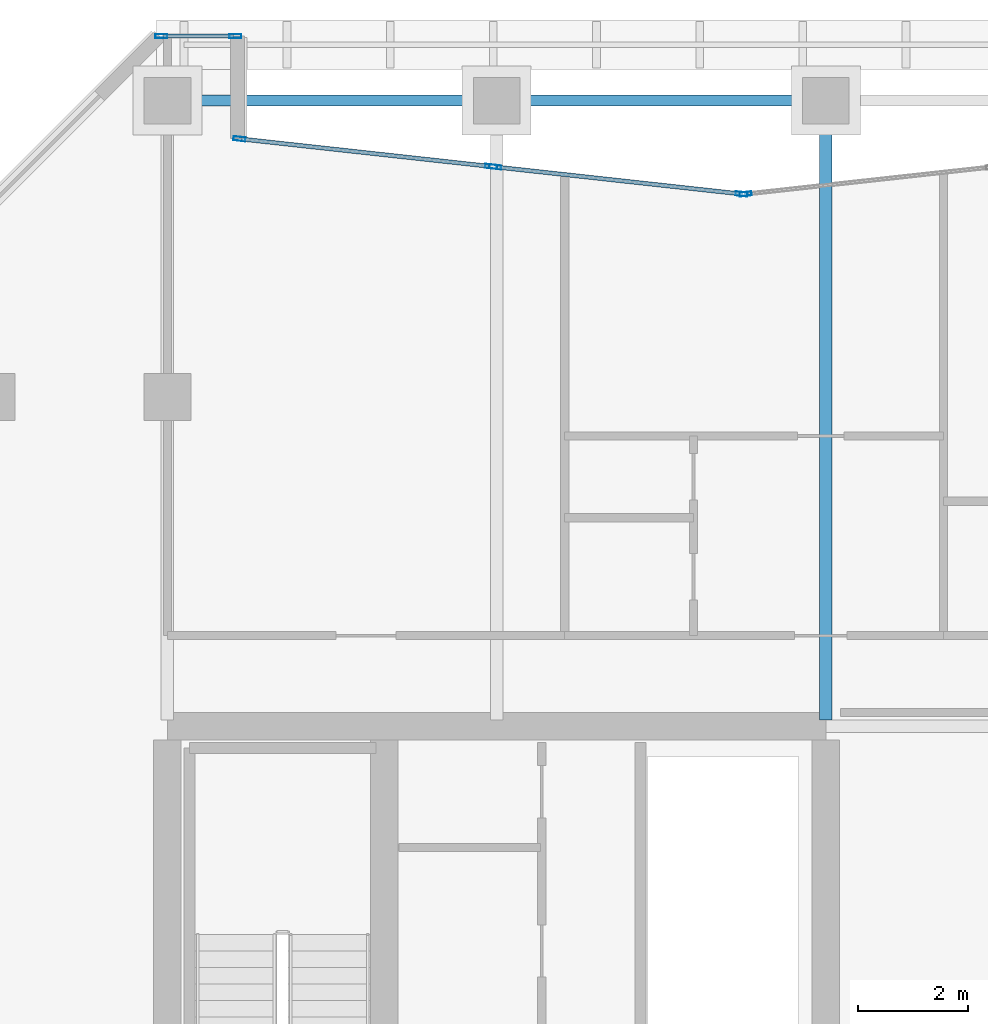
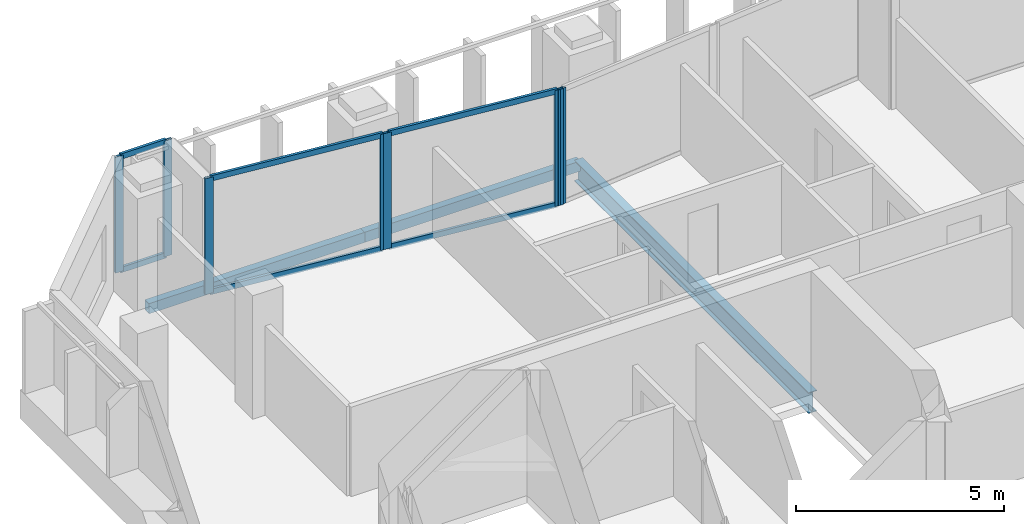
# One storey, part 9 of 29: 13 members, 3 beams, 4 elements without a shape of their own.
"""IFC4 building model written with IfcOpenShell, lengths in metres."""

from ifc_helpers import new_model, si_unit, direction, frame, origin, origin_2d, place, context, subcontext, project, spatial, hollow_rectangle, i_section, extrude, material, layer, layer_set, material_profile, profile_set, type_object, element, aggregate, save


model = new_model("IFC4")

# Units and contexts
model_context = context("Model", 3, precision=1e-05, world=origin(), true_north=direction((0.0, 1.0)))
body_context = subcontext(model_context, "Body", "Model", "MODEL_VIEW")
ifc_project = project(units=[si_unit("LENGTHUNIT", "METRE"), si_unit("AREAUNIT", "SQUARE_METRE"), si_unit("VOLUMEUNIT", "CUBIC_METRE"), si_unit("PLANEANGLEUNIT", "RADIAN"), si_unit("MASSUNIT", "GRAM", prefix="KILO")], contexts=[model_context])

# Site, building, storey
site_placement = place(None, origin())
site = spatial("IfcSite", under=ifc_project, at=site_placement, CompositionType="ELEMENT")
building_placement = place(site_placement, origin())
building = spatial("IfcBuilding", under=site, at=building_placement, Name="Tanjung Sevakor Pilgrim Tower", CompositionType="ELEMENT")
storey_placement = place(building_placement, frame((0.0, 0.0, 162.030029296875)))
storey = spatial("IfcBuildingStorey", under=building, at=storey_placement, Name="L45", CompositionType="ELEMENT", Elevation=162.030029296875)

# Beams
ifc_material_1 = material(Name="Steel S355J2", Category="steel")
ifc_material_profile_1 = material_profile(ifc_material_1, i_section(OverallWidth=0.22900390625, OverallDepth=0.6123046875, WebThickness=0.011962890625, FlangeThickness=0.01953125, FilletRadius=0.0126953125, at=origin_2d()))
ifc_profile_set_1 = profile_set([ifc_material_profile_1], Name="Steel S355J2")
beam_type_1 = type_object("IfcBeamType", Name="BM-B-G4-UB_610x229x125", PredefinedType="BEAM", material=ifc_profile_set_1)
beam_placement = place(storey_placement, frame((36.0, 42.715087890625, -0.526123046875), z_axis=(0.0, 1.0, 0.0), x_axis=(-1.0, 0.0, 0.0)))
element("IfcBeam", 1, at=beam_placement, inside=storey, type_object=beam_type_1, Name="L45 MAIN Girder 006", PredefinedType="BEAM", context=body_context, shape_type="SweptSolid", body=[
    extrude(i_section(OverallWidth=0.22900390625, OverallDepth=0.6123046875, WebThickness=0.011962890625, FlangeThickness=0.01953125, FilletRadius=0.0126953125, at=origin_2d()), origin(), (0.0, 0.0, 1.0), 11.284912109375),
])
ifc_material_2 = material(Name="Steel S355J2", Category="steel")
ifc_material_profile_2 = material_profile(ifc_material_2, hollow_rectangle(XDim=0.199951171875, YDim=0.300048828125, WallThickness=0.012451171875, at=origin_2d()))
ifc_profile_set_2 = profile_set([ifc_material_profile_2], Name="Steel S355J2")
beam_type_2 = type_object("IfcBeamType", Name="BM-B-SP3-RHS_300x200x12.5", PredefinedType="SPANDREL", material=ifc_profile_set_2)
for number, where, z_axis, x_axis, name in (
    (2, (24.0, 54.0, -0.3701171875), (1.0, 0.0, 0.0), (0.0, 1.0, 0.0), "L45 Spandrel MAIN N-02"),
    (3, (30.0, 54.0, -0.3701171875), (1.0, 0.0, 0.0), (0.0, 1.0, 0.0), "L45 Spandrel MAIN N-04"),
):
    element("IfcBeam", number, at=place(storey_placement, frame(where, z_axis=z_axis, x_axis=x_axis)), inside=storey, type_object=beam_type_2, Name=name, PredefinedType="SPANDREL", context=body_context, shape_type="SweptSolid", body=[
        extrude(hollow_rectangle(XDim=0.199951171875, YDim=0.300048828125, WallThickness=0.012451171875, at=origin_2d()), origin(), (0.0, 0.0, 1.0), 6.0),
    ])

# Curtain wall, member
ifc_material_3 = material(Name="Aluminium 6063-T6 and Low-E Glass", Category="aluminium")
ifc_layer = layer(ifc_material_3, 0.199951171875)
ifc_layer_set = layer_set([ifc_layer], Name="CW-SYS-PRAY")
curtain_wall_type = type_object("IfcCurtainWallType", Name="CW-SYS-PRAY", PredefinedType="NOTDEFINED", material=ifc_layer_set)
curtain_wall_1_placement = place(storey_placement, origin())
curtain_wall_1 = element("IfcCurtainWall", 4, at=curtain_wall_1_placement, inside=storey, type_object=curtain_wall_type, Name="L45 Curtain Wall CW-PRY-L45-28", PredefinedType="NOTDEFINED")
ifc_material_4 = material(Name="Aluminium 6063-T6", Category="aluminium")
ifc_material_profile_3 = material_profile(ifc_material_4, hollow_rectangle(XDim=0.074951171875, YDim=0.219970703125, WallThickness=0.0048828125, at=origin_2d()))
ifc_profile_set_3 = profile_set([ifc_material_profile_3], Name="Aluminium 6063-T6")
member_type_1 = type_object("IfcMemberType", Name="TYPE-CWM-2", PredefinedType="MULLION", material=ifc_profile_set_3)
member_1_placement = place(storey_placement, frame((34.537353515625, 52.29833984375, 0.0), z_axis=(0.0, 0.0, 1.0), x_axis=(0.109231369397, -0.994016351948, 0.0)))
member_1 = element("IfcMember", 5, at=member_1_placement, type_object=member_type_1, Name="CW-PRY mullion 2", PredefinedType="MULLION", context=body_context, shape_type="SweptSolid", body=[
    extrude(hollow_rectangle(XDim=0.074951171875, YDim=0.219970703125, WallThickness=0.0048828125, at=origin_2d()), origin(), (0.0, 0.0, 1.0), 3.409912109375),
])
aggregate(curtain_wall_1, [member_1])

# Curtain wall, members
curtain_wall_2_placement = place(storey_placement, origin())
curtain_wall_2 = element("IfcCurtainWall", 6, at=curtain_wall_2_placement, inside=storey, type_object=curtain_wall_type, Name="L45 Curtain Wall CW-PRY-L45-29", PredefinedType="NOTDEFINED")
member_2_placement = place(storey_placement, frame((34.462646484375, 52.29833984375, 0.0), z_axis=(0.0, 0.0, 1.0), x_axis=(-0.109231369397, -0.994016351948, 0.0)))
member_2 = element("IfcMember", 7, at=member_2_placement, type_object=member_type_1, Name="CW-PRY mullion 1", PredefinedType="MULLION", context=body_context, shape_type="SweptSolid", body=[
    extrude(hollow_rectangle(XDim=0.074951171875, YDim=0.219970703125, WallThickness=0.0048828125, at=origin_2d()), origin(), (0.0, 0.0, 1.0), 3.409912109375),
])
member_3_placement = place(storey_placement, frame((29.9736328125, 52.79150390625, 0.0), z_axis=(0.0, 0.0, 1.0), x_axis=(-0.109231369397, -0.994016351948, 0.0)))
member_3 = element("IfcMember", 8, at=member_3_placement, type_object=member_type_1, Name="CW-PRY mullion 2", PredefinedType="MULLION", context=body_context, shape_type="SweptSolid", body=[
    extrude(hollow_rectangle(XDim=0.074951171875, YDim=0.219970703125, WallThickness=0.0048828125, at=origin_2d()), origin(), (0.0, 0.0, 1.0), 3.409912109375),
])

curtain_wall_3_placement = place(storey_placement, origin())
curtain_wall_3 = element("IfcCurtainWall", 9, at=curtain_wall_3_placement, inside=storey, type_object=curtain_wall_type, Name="L45 Curtain Wall CW-PRY-L45-30", PredefinedType="NOTDEFINED")
member_4_placement = place(storey_placement, frame((29.89892578125, 52.7998046875, 0.0), z_axis=(0.0, 0.0, 1.0), x_axis=(-0.109247139061, -0.99401461891, 0.0)))
member_4 = element("IfcMember", 10, at=member_4_placement, type_object=member_type_1, Name="CW-PRY mullion 1", PredefinedType="MULLION", context=body_context, shape_type="SweptSolid", body=[
    extrude(hollow_rectangle(XDim=0.074951171875, YDim=0.219970703125, WallThickness=0.0048828125, at=origin_2d()), origin(), (0.0, 0.0, 1.0), 3.409912109375),
])
member_5_placement = place(storey_placement, frame((25.312255859375, 53.303955078125, 0.0), z_axis=(0.0, 0.0, 1.0), x_axis=(-0.109247139061, -0.99401461891, 0.0)))
member_5 = element("IfcMember", 11, at=member_5_placement, type_object=member_type_1, Name="CW-PRY mullion 2", PredefinedType="MULLION", context=body_context, shape_type="SweptSolid", body=[
    extrude(hollow_rectangle(XDim=0.074951171875, YDim=0.219970703125, WallThickness=0.0048828125, at=origin_2d()), origin(), (0.0, 0.0, 1.0), 3.409912109375),
])

curtain_wall_4_placement = place(storey_placement, origin())
curtain_wall_4 = element("IfcCurtainWall", 12, at=curtain_wall_4_placement, inside=storey, type_object=curtain_wall_type, Name="L45 Curtain Wall CW-PRY-L45-32", PredefinedType="NOTDEFINED")
member_6_placement = place(storey_placement, frame((25.237548828125, 55.175048828125, 0.0), z_axis=(0.0, 0.0, 1.0), x_axis=(0.0, -1.0, 0.0)))
member_6 = element("IfcMember", 13, at=member_6_placement, type_object=member_type_1, Name="CW-PRY mullion 1", PredefinedType="MULLION", context=body_context, shape_type="SweptSolid", body=[
    extrude(hollow_rectangle(XDim=0.074951171875, YDim=0.219970703125, WallThickness=0.0048828125, at=origin_2d()), origin(), (0.0, 0.0, 1.0), 3.409912109375),
])
member_7_placement = place(storey_placement, frame((23.889404296875, 55.175048828125, 0.0), z_axis=(0.0, 0.0, 1.0), x_axis=(0.0, -1.0, 0.0)))
member_7 = element("IfcMember", 14, at=member_7_placement, type_object=member_type_1, Name="CW-PRY mullion 2", PredefinedType="MULLION", context=body_context, shape_type="SweptSolid", body=[
    extrude(hollow_rectangle(XDim=0.074951171875, YDim=0.219970703125, WallThickness=0.0048828125, at=origin_2d()), origin(), (0.0, 0.0, 1.0), 3.409912109375),
])

# Member
ifc_material_5 = material(Name="Aluminium 6063-T6", Category="aluminium")
ifc_material_profile_4 = material_profile(ifc_material_5, hollow_rectangle(XDim=0.074951171875, YDim=0.159912109375, WallThickness=0.00439453125, at=origin_2d()))
ifc_profile_set_4 = profile_set([ifc_material_profile_4], Name="Aluminium 6063-T6")
member_type_2 = type_object("IfcMemberType", Name="TYPE-CWT-2", PredefinedType="USERDEFINED", material=ifc_profile_set_4)
member_8_placement = place(storey_placement, frame((34.425537109375, 52.302490234375, 0.037353515625), z_axis=(-0.994017074626, 0.109224792749, 0.0), x_axis=(-0.109224792749, -0.994017074626, 0.0)))
member_8 = element("IfcMember", 15, at=member_8_placement, type_object=member_type_2, Name="CW-PRY transom 1.1", ObjectType="TRANSOM", PredefinedType="USERDEFINED", context=body_context, shape_type="SweptSolid", body=[
    extrude(hollow_rectangle(XDim=0.074951171875, YDim=0.159912109375, WallThickness=0.00439453125, at=origin_2d()), origin(), (0.0, 0.0, 1.0), 4.44140625),
])

member_9_placement = place(storey_placement, frame((34.425537109375, 52.302490234375, 3.37255859375), z_axis=(-0.994017074626, 0.109224792749, 0.0), x_axis=(-0.109224792749, -0.994017074626, 0.0)))
member_9 = element("IfcMember", 16, at=member_9_placement, type_object=member_type_2, Name="CW-PRY transom 1.2", ObjectType="TRANSOM", PredefinedType="USERDEFINED", context=body_context, shape_type="SweptSolid", body=[
    extrude(hollow_rectangle(XDim=0.074951171875, YDim=0.159912109375, WallThickness=0.00439453125, at=origin_2d()), origin(), (0.0, 0.0, 1.0), 4.44140625),
])

aggregate(curtain_wall_2, [member_2, member_3, member_8, member_9])

member_10_placement = place(storey_placement, frame((29.86181640625, 52.803955078125, 0.037353515625), z_axis=(-0.994016157834, 0.109233135838, 0.0), x_axis=(-0.109233135838, -0.994016157834, 0.0)))
member_10 = element("IfcMember", 17, at=member_10_placement, type_object=member_type_2, Name="CW-PRY transom 1.1", ObjectType="TRANSOM", PredefinedType="USERDEFINED", context=body_context, shape_type="SweptSolid", body=[
    extrude(hollow_rectangle(XDim=0.074951171875, YDim=0.159912109375, WallThickness=0.00439453125, at=origin_2d()), origin(), (0.0, 0.0, 1.0), 4.539306640625),
])

member_11_placement = place(storey_placement, frame((29.86181640625, 52.803955078125, 3.37255859375), z_axis=(-0.994016157834, 0.109233135838, 0.0), x_axis=(-0.109233135838, -0.994016157834, 0.0)))
member_11 = element("IfcMember", 18, at=member_11_placement, type_object=member_type_2, Name="CW-PRY transom 1.2", ObjectType="TRANSOM", PredefinedType="USERDEFINED", context=body_context, shape_type="SweptSolid", body=[
    extrude(hollow_rectangle(XDim=0.074951171875, YDim=0.159912109375, WallThickness=0.00439453125, at=origin_2d()), origin(), (0.0, 0.0, 1.0), 4.539306640625),
])

aggregate(curtain_wall_3, [member_4, member_5, member_10, member_11])

member_12_placement = place(storey_placement, frame((25.199951171875, 55.175048828125, 0.037353515625), z_axis=(-1.0, 0.0, 0.0), x_axis=(0.0, -1.0, 0.0)))
member_12 = element("IfcMember", 19, at=member_12_placement, type_object=member_type_2, Name="CW-PRY transom 1.1", ObjectType="TRANSOM", PredefinedType="USERDEFINED", context=body_context, shape_type="SweptSolid", body=[
    extrude(hollow_rectangle(XDim=0.074951171875, YDim=0.159912109375, WallThickness=0.00439453125, at=origin_2d()), origin(), (0.0, 0.0, 1.0), 1.273193359375),
])

member_13_placement = place(storey_placement, frame((25.199951171875, 55.175048828125, 3.37255859375), z_axis=(-1.0, 0.0, 0.0), x_axis=(0.0, -1.0, 0.0)))
member_13 = element("IfcMember", 20, at=member_13_placement, type_object=member_type_2, Name="CW-PRY transom 1.2", ObjectType="TRANSOM", PredefinedType="USERDEFINED", context=body_context, shape_type="SweptSolid", body=[
    extrude(hollow_rectangle(XDim=0.074951171875, YDim=0.159912109375, WallThickness=0.00439453125, at=origin_2d()), origin(), (0.0, 0.0, 1.0), 1.273193359375),
])

aggregate(curtain_wall_4, [member_6, member_7, member_12, member_13])

save(model, "model.ifc")
